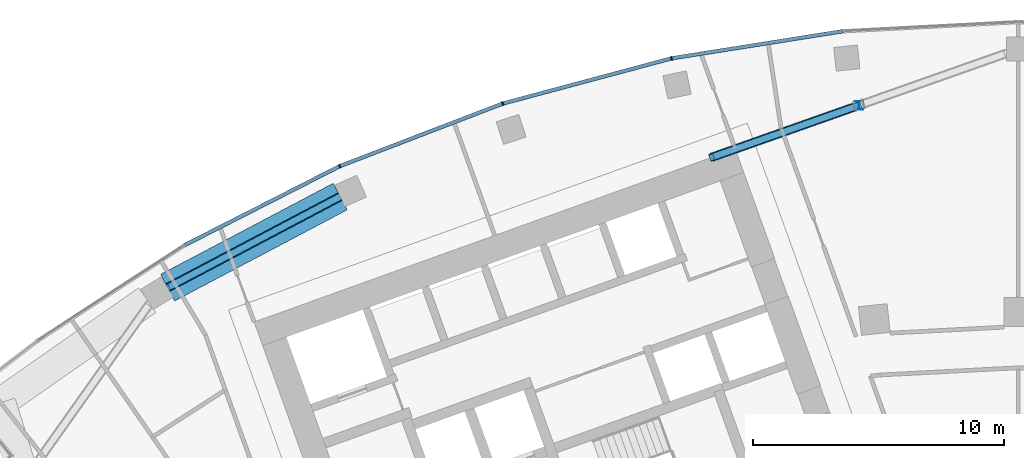
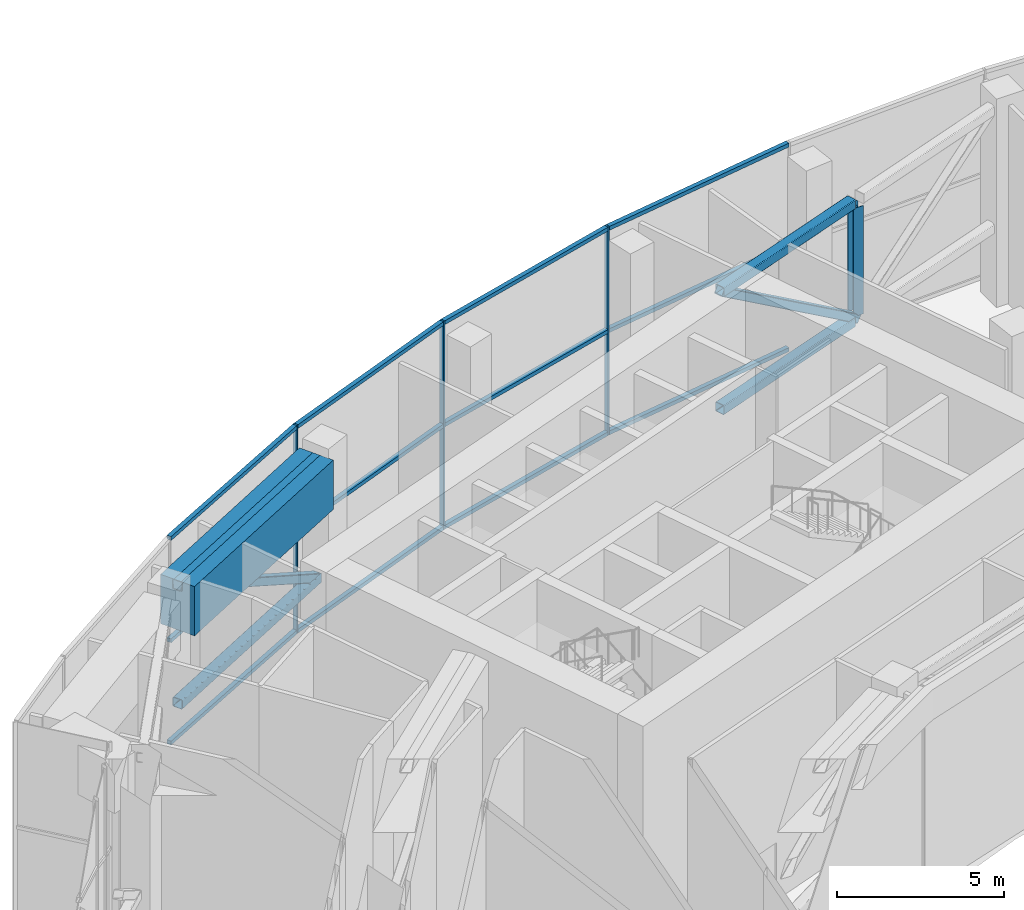
# One storey, part 7 of 26: 22 members, 1 beam, 1 element without a shape of its own.
"""IFC4 building model written with IfcOpenShell, lengths in metres."""

from ifc_helpers import new_model, si_unit, direction, frame, origin, origin_2d, place, context, subcontext, project, spatial, rectangle, hollow_rectangle, i_section, extrude, material, layer, layer_set, material_profile, profile_set, type_object, element, aggregate, save


model = new_model("IFC4")

# Units and contexts
model_context = context("Model", 3, precision=1e-05, world=origin(), true_north=direction((0.0, 1.0)))
body_context = subcontext(model_context, "Body", "Model", "MODEL_VIEW")
ifc_project = project(units=[si_unit("LENGTHUNIT", "METRE"), si_unit("AREAUNIT", "SQUARE_METRE"), si_unit("VOLUMEUNIT", "CUBIC_METRE"), si_unit("PLANEANGLEUNIT", "RADIAN"), si_unit("MASSUNIT", "GRAM", prefix="KILO")], contexts=[model_context])

# Site, building, storey
site_placement = place(None, origin())
site = spatial("IfcSite", under=ifc_project, at=site_placement, CompositionType="ELEMENT")
building_placement = place(site_placement, origin())
building = spatial("IfcBuilding", under=site, at=building_placement, Name="Stone Belt Terrace Tower", CompositionType="ELEMENT")
storey_placement = place(building_placement, frame((0.0, 0.0, 250.39990234375)))
storey = spatial("IfcBuildingStorey", under=building, at=storey_placement, Name="L61", CompositionType="ELEMENT", Elevation=250.39990234375)

# Curtain wall, members
ifc_material_1 = material(Name="Aluminium 6063-T6 anodised frame", Category="aluminium")
ifc_layer = layer(ifc_material_1, 0.14990234375)
ifc_layer_set = layer_set([ifc_layer], Name="CW-A unitised convex-face curtain wall")
curtain_wall_type = type_object("IfcCurtainWallType", Name="CW-A unitised convex-face curtain wall", PredefinedType="NOTDEFINED", material=ifc_layer_set)
curtain_wall_placement = place(storey_placement, origin())
curtain_wall = element("IfcCurtainWall", 1, at=curtain_wall_placement, inside=storey, type_object=curtain_wall_type, Name="CW-A convex face L61", PredefinedType="NOTDEFINED")
ifc_material_profile_1 = material_profile(ifc_material_1, rectangle(XDim=0.14990234375, YDim=0.06005859375, at=origin_2d()), Name="Aluminium 6063-T6 60x150")
ifc_profile_set_1 = profile_set([ifc_material_profile_1], Name="Aluminium 6063-T6 anodised frame")
member_type_1 = type_object("IfcMemberType", Name="CW-A mullion 60 x 150", PredefinedType="MULLION", material=ifc_profile_set_1)
member_1_placement = place(storey_placement, frame((-13.841796875, 65.120361328125, 0.0), z_axis=(0.0, 0.0, 1.0), x_axis=(0.207911690818, -0.978147600734, 0.0)))
member_1 = element("IfcMember", 2, at=member_1_placement, type_object=member_type_1, Name="CW-A mullion 11", PredefinedType="MULLION", context=body_context, shape_type="SweptSolid", body=[
    extrude(rectangle(XDim=0.14990234375, YDim=0.06005859375, at=origin_2d()), origin(), (0.0, 0.0, 1.0), 7.60009765625),
])
member_2_placement = place(storey_placement, frame((-20.57275390625, 63.316650390625, 0.0), z_axis=(0.0, 0.0, 1.0), x_axis=(0.309016994375, -0.951056516295, 0.0)))
member_2 = element("IfcMember", 3, at=member_2_placement, type_object=member_type_1, Name="CW-A mullion 12", PredefinedType="MULLION", context=body_context, shape_type="SweptSolid", body=[
    extrude(rectangle(XDim=0.14990234375, YDim=0.06005859375, at=origin_2d()), origin(), (0.0, 0.0, 1.0), 7.60009765625),
])
member_3_placement = place(storey_placement, frame((-27.07861328125, 60.8193359375, 0.0), z_axis=(0.0, 0.0, 1.0), x_axis=(0.406736643076, -0.913545457643, 0.0)))
member_3 = element("IfcMember", 4, at=member_3_placement, type_object=member_type_1, Name="CW-A mullion 13", PredefinedType="MULLION", context=body_context, shape_type="SweptSolid", body=[
    extrude(rectangle(XDim=0.14990234375, YDim=0.06005859375, at=origin_2d()), origin(), (0.0, 0.0, 1.0), 7.60009765625),
])
ifc_material_profile_2 = material_profile(ifc_material_1, rectangle(XDim=0.14990234375, YDim=0.139892578125, at=origin_2d()), Name="Aluminium 6063-T6 150x140")
ifc_profile_set_2 = profile_set([ifc_material_profile_2], Name="Aluminium 6063-T6 anodised frame")
member_type_2 = type_object("IfcMemberType", Name="CW-A transom 140 x 150", PredefinedType="USERDEFINED", material=ifc_profile_set_2)
member_4_placement = place(storey_placement, frame((-6.992431640625, 66.205078125, 0.070068359375), z_axis=(-0.987687120531, -0.156442168027, 0.0), x_axis=(0.156442168027, -0.987687120531, 0.0)))
member_4 = element("IfcMember", 5, at=member_4_placement, type_object=member_type_2, Name="CW-A transom 10.1", ObjectType="TRANSOM", PredefinedType="USERDEFINED", context=body_context, shape_type="SweptSolid", body=[
    extrude(rectangle(XDim=0.14990234375, YDim=0.139892578125, at=origin_2d()), origin(), (0.0, 0.0, 1.0), 6.90087890625),
])
member_5_placement = place(storey_placement, frame((-6.992431640625, 66.205078125, 3.800048828125), z_axis=(-0.987687120531, -0.156442168027, 0.0), x_axis=(0.156442168027, -0.987687120531, 0.0)))
member_5 = element("IfcMember", 6, at=member_5_placement, type_object=member_type_2, Name="CW-A transom 10.2", ObjectType="TRANSOM", PredefinedType="USERDEFINED", context=body_context, shape_type="SweptSolid", body=[
    extrude(rectangle(XDim=0.14990234375, YDim=0.139892578125, at=origin_2d()), origin(), (0.0, 0.0, 1.0), 6.90087890625),
])
member_6_placement = place(storey_placement, frame((-6.992431640625, 66.205078125, 7.530029296875), z_axis=(-0.987687120531, -0.156442168027, 0.0), x_axis=(0.156442168027, -0.987687120531, 0.0)))
member_6 = element("IfcMember", 7, at=member_6_placement, type_object=member_type_2, Name="CW-A transom 10.3", ObjectType="TRANSOM", PredefinedType="USERDEFINED", context=body_context, shape_type="SweptSolid", body=[
    extrude(rectangle(XDim=0.14990234375, YDim=0.139892578125, at=origin_2d()), origin(), (0.0, 0.0, 1.0), 6.90087890625),
])
member_7_placement = place(storey_placement, frame((-13.87451171875, 65.111572265625, 0.070068359375), z_axis=(-0.965921835863, -0.258833937117, 0.0), x_axis=(0.258833937117, -0.965921835863, 0.0)))
member_7 = element("IfcMember", 8, at=member_7_placement, type_object=member_type_2, Name="CW-A transom 11.1", ObjectType="TRANSOM", PredefinedType="USERDEFINED", context=body_context, shape_type="SweptSolid", body=[
    extrude(rectangle(XDim=0.14990234375, YDim=0.139892578125, at=origin_2d()), origin(), (0.0, 0.0, 1.0), 6.900634765625),
])
member_8_placement = place(storey_placement, frame((-13.87451171875, 65.111572265625, 3.800048828125), z_axis=(-0.965921835863, -0.258833937117, 0.0), x_axis=(0.258833937117, -0.965921835863, 0.0)))
member_8 = element("IfcMember", 9, at=member_8_placement, type_object=member_type_2, Name="CW-A transom 11.2", ObjectType="TRANSOM", PredefinedType="USERDEFINED", context=body_context, shape_type="SweptSolid", body=[
    extrude(rectangle(XDim=0.14990234375, YDim=0.139892578125, at=origin_2d()), origin(), (0.0, 0.0, 1.0), 6.900634765625),
])
member_9_placement = place(storey_placement, frame((-13.87451171875, 65.111572265625, 7.530029296875), z_axis=(-0.965921835863, -0.258833937117, 0.0), x_axis=(0.258833937117, -0.965921835863, 0.0)))
member_9 = element("IfcMember", 10, at=member_9_placement, type_object=member_type_2, Name="CW-A transom 11.3", ObjectType="TRANSOM", PredefinedType="USERDEFINED", context=body_context, shape_type="SweptSolid", body=[
    extrude(rectangle(XDim=0.14990234375, YDim=0.139892578125, at=origin_2d()), origin(), (0.0, 0.0, 1.0), 6.900634765625),
])
member_10_placement = place(storey_placement, frame((-20.6044921875, 63.304443359375, 0.070068359375), z_axis=(-0.933585210269, -0.358355487146, 0.0), x_axis=(0.358355487146, -0.933585210269, 0.0)))
member_10 = element("IfcMember", 11, at=member_10_placement, type_object=member_type_2, Name="CW-A transom 12.1", ObjectType="TRANSOM", PredefinedType="USERDEFINED", context=body_context, shape_type="SweptSolid", body=[
    extrude(rectangle(XDim=0.14990234375, YDim=0.139892578125, at=origin_2d()), origin(), (0.0, 0.0, 1.0), 6.900634765625),
])
member_11_placement = place(storey_placement, frame((-20.6044921875, 63.304443359375, 3.800048828125), z_axis=(-0.933585210269, -0.358355487146, 0.0), x_axis=(0.358355487146, -0.933585210269, 0.0)))
member_11 = element("IfcMember", 12, at=member_11_placement, type_object=member_type_2, Name="CW-A transom 12.2", ObjectType="TRANSOM", PredefinedType="USERDEFINED", context=body_context, shape_type="SweptSolid", body=[
    extrude(rectangle(XDim=0.14990234375, YDim=0.139892578125, at=origin_2d()), origin(), (0.0, 0.0, 1.0), 6.900634765625),
])
member_12_placement = place(storey_placement, frame((-20.6044921875, 63.304443359375, 7.530029296875), z_axis=(-0.933585210269, -0.358355487146, 0.0), x_axis=(0.358355487146, -0.933585210269, 0.0)))
member_12 = element("IfcMember", 13, at=member_12_placement, type_object=member_type_2, Name="CW-A transom 12.3", ObjectType="TRANSOM", PredefinedType="USERDEFINED", context=body_context, shape_type="SweptSolid", body=[
    extrude(rectangle(XDim=0.14990234375, YDim=0.139892578125, at=origin_2d()), origin(), (0.0, 0.0, 1.0), 6.900634765625),
])
member_13_placement = place(storey_placement, frame((-27.108642578125, 60.803955078125, 0.070068359375), z_axis=(-0.891012226264, -0.453979308613, 0.0), x_axis=(0.453979308613, -0.891012226264, 0.0)))
member_13 = element("IfcMember", 14, at=member_13_placement, type_object=member_type_2, Name="CW-A transom 13.1", ObjectType="TRANSOM", PredefinedType="USERDEFINED", context=body_context, shape_type="SweptSolid", body=[
    extrude(rectangle(XDim=0.14990234375, YDim=0.139892578125, at=origin_2d()), origin(), (0.0, 0.0, 1.0), 6.90087890625),
])
member_14_placement = place(storey_placement, frame((-27.108642578125, 60.803955078125, 3.800048828125), z_axis=(-0.891012226264, -0.453979308613, 0.0), x_axis=(0.453979308613, -0.891012226264, 0.0)))
member_14 = element("IfcMember", 15, at=member_14_placement, type_object=member_type_2, Name="CW-A transom 13.2", ObjectType="TRANSOM", PredefinedType="USERDEFINED", context=body_context, shape_type="SweptSolid", body=[
    extrude(rectangle(XDim=0.14990234375, YDim=0.139892578125, at=origin_2d()), origin(), (0.0, 0.0, 1.0), 6.90087890625),
])
member_15_placement = place(storey_placement, frame((-27.108642578125, 60.803955078125, 7.530029296875), z_axis=(-0.891012226264, -0.453979308613, 0.0), x_axis=(0.453979308613, -0.891012226264, 0.0)))
member_15 = element("IfcMember", 16, at=member_15_placement, type_object=member_type_2, Name="CW-A transom 13.3", ObjectType="TRANSOM", PredefinedType="USERDEFINED", context=body_context, shape_type="SweptSolid", body=[
    extrude(rectangle(XDim=0.14990234375, YDim=0.139892578125, at=origin_2d()), origin(), (0.0, 0.0, 1.0), 6.90087890625),
])
aggregate(curtain_wall, [member_1, member_2, member_3, member_4, member_5, member_6, member_7, member_8, member_9, member_10, member_11, member_12, member_13, member_14, member_15])

# Members
ifc_material_2 = material(Name="Structural steel C345", Category="steel")
ifc_material_profile_3 = material_profile(ifc_material_2, hollow_rectangle(XDim=0.35009765625, YDim=0.35009765625, WallThickness=0.01611328125, InnerFilletRadius=0.031982421875, OuterFilletRadius=0.048095703125, at=origin_2d()), Name="SHS 350x350x16")
ifc_profile_set_3 = profile_set([ifc_material_profile_3], Name="Structural steel C345")
member_type_3 = type_object("IfcMemberType", Name="Outrigger chord SHS 350x350x16", PredefinedType="CHORD", material=ifc_profile_set_3)
for number, where, z_axis, x_axis, name in (
    (17, (-33.94482421875, 55.9697265625, 7.0751953125), (0.884379720168, 0.466768155036, 0.0), (-0.466768155036, 0.884379720168, 0.0), "Outrigger T4 Rw top chord 3"),
    (18, (-33.94482421875, 55.9697265625, 2.775146484375), (0.884379720168, 0.466768155036, 0.0), (-0.466768155036, 0.884379720168, 0.0), "Outrigger T4 Rw bot chord 3"),
):
    element("IfcMember", number, at=place(storey_placement, frame(where, z_axis=z_axis, x_axis=x_axis)), inside=storey, type_object=member_type_3, Name=name, PredefinedType="CHORD", context=body_context, shape_type="SweptSolid", body=[
        extrude(hollow_rectangle(XDim=0.35009765625, YDim=0.35009765625, WallThickness=0.01611328125, InnerFilletRadius=0.031982421875, OuterFilletRadius=0.048095703125, at=origin_2d()), origin(), (0.0, 0.0, 1.0), 7.78759765625),
    ])
for number, where, z_axis, x_axis, name in (
    (19, (-6.538818359375, 63.18115234375, 7.0751953125), (-0.942989587628, -0.332822231266, 0.0), (0.332822231266, -0.942989587628, 0.0), "Outrigger T4 coreA-mid-R top chord 2"),
    (20, (-6.538818359375, 63.18115234375, 2.775146484375), (-0.942989587628, -0.332822231266, 0.0), (0.332822231266, -0.942989587628, 0.0), "Outrigger T4 coreA-mid-R bot chord 2"),
):
    element("IfcMember", number, at=place(storey_placement, frame(where, z_axis=z_axis, x_axis=x_axis)), inside=storey, type_object=member_type_3, Name=name, PredefinedType="CHORD", context=body_context, shape_type="SweptSolid", body=[
        extrude(hollow_rectangle(XDim=0.35009765625, YDim=0.35009765625, WallThickness=0.01611328125, InnerFilletRadius=0.031982421875, OuterFilletRadius=0.048095703125, at=origin_2d()), origin(), (0.0, 0.0, 1.0), 6.042236328125),
    ])
ifc_material_profile_4 = material_profile(ifc_material_2, hollow_rectangle(XDim=0.300048828125, YDim=0.300048828125, WallThickness=0.011962890625, InnerFilletRadius=0.02392578125, OuterFilletRadius=0.035888671875, at=origin_2d()), Name="SHS 300x300x12")
ifc_profile_set_4 = profile_set([ifc_material_profile_4], Name="Structural steel C345")
member_type_4 = type_object("IfcMemberType", Name="Outrigger diagonal SHS 300x300x12", PredefinedType="BRACE", material=ifc_profile_set_4)
member_16_placement = place(storey_placement, frame((-33.94482421875, 55.9697265625, 7.0751953125), z_axis=(0.774198674174, 0.408615528528, -0.483373316137), x_axis=(-0.466768155036, 0.884379720168, 0.0)))
element("IfcMember", 21, at=member_16_placement, inside=storey, type_object=member_type_4, Name="Outrigger T4 Rw diagonal 3", PredefinedType="BRACE", context=body_context, shape_type="SweptSolid", body=[
    extrude(hollow_rectangle(XDim=0.300048828125, YDim=0.300048828125, WallThickness=0.011962890625, InnerFilletRadius=0.02392578125, OuterFilletRadius=0.035888671875, at=origin_2d()), origin(), (0.0, 0.0, 1.0), 8.89599609375),
])
member_17_placement = place(storey_placement, frame((-6.355712890625, 63.24560546875, 2.775146484375), z_axis=(-0.776339228604, -0.273981226435, 0.56765455137), x_axis=(0.332797592453, -0.94299828338, 0.0)))
element("IfcMember", 22, at=member_17_placement, inside=storey, type_object=member_type_4, Name="Outrigger T4 coreA-mid-R diagonal 2", PredefinedType="BRACE", context=body_context, shape_type="SweptSolid", body=[
    extrude(hollow_rectangle(XDim=0.300048828125, YDim=0.300048828125, WallThickness=0.011962890625, InnerFilletRadius=0.02392578125, OuterFilletRadius=0.035888671875, at=origin_2d()), origin(), (0.0, 0.0, 1.0), 7.5751953125),
])
ifc_material_profile_5 = material_profile(ifc_material_2, i_section(OverallWidth=0.347900390625, OverallDepth=0.342041015625, WebThickness=0.010009765625, FlangeThickness=0.014892578125, at=origin_2d()), Name="I 35K1")
ifc_profile_set_5 = profile_set([ifc_material_profile_5], Name="Structural steel C345")
member_type_5 = type_object("IfcMemberType", Name="Outrigger post I 35K1", PredefinedType="POST", material=ifc_profile_set_5)
member_18_placement = place(storey_placement, frame((-6.355712890625, 63.24560546875, 2.9501953125), z_axis=(0.0, 0.0, 1.0), x_axis=(1.0, 0.0, 0.0)))
element("IfcMember", 23, at=member_18_placement, inside=storey, type_object=member_type_5, Name="Outrigger T4 coreA-mid-R post 1", PredefinedType="POST", context=body_context, shape_type="SweptSolid", body=[
    extrude(i_section(OverallWidth=0.347900390625, OverallDepth=0.342041015625, WebThickness=0.010009765625, FlangeThickness=0.014892578125, at=origin_2d()), origin(), (0.0, 0.0, 1.0), 3.949951171875),
])

# Beam
ifc_material_3 = material(Name="Concrete B80", Category="concrete")
ifc_material_profile_6 = material_profile(ifc_material_3, rectangle(XDim=1.199951171875, YDim=1.800048828125, at=origin_2d()), Name="RC 1200x1800")
ifc_profile_set_6 = profile_set([ifc_material_profile_6], Name="Concrete B80")
beam_type = type_object("IfcBeamType", Name="Transfer girder RC 1200x1800 B80", PredefinedType="BEAM", material=ifc_profile_set_6)
beam_placement = place(storey_placement, frame((-33.94482421875, 55.9697265625, 6.35009765625), z_axis=(0.884379720168, 0.466768155036, 0.0), x_axis=(-0.466768155036, 0.884379720168, 0.0)))
element("IfcBeam", 24, at=beam_placement, inside=storey, type_object=beam_type, Name="Transfer beam L61 RRNA-R18", PredefinedType="BEAM", context=body_context, shape_type="SweptSolid", body=[
    extrude(rectangle(XDim=1.199951171875, YDim=1.800048828125, at=origin_2d()), origin(), (0.0, 0.0, 1.0), 7.78759765625),
])

save(model, "model.ifc")
